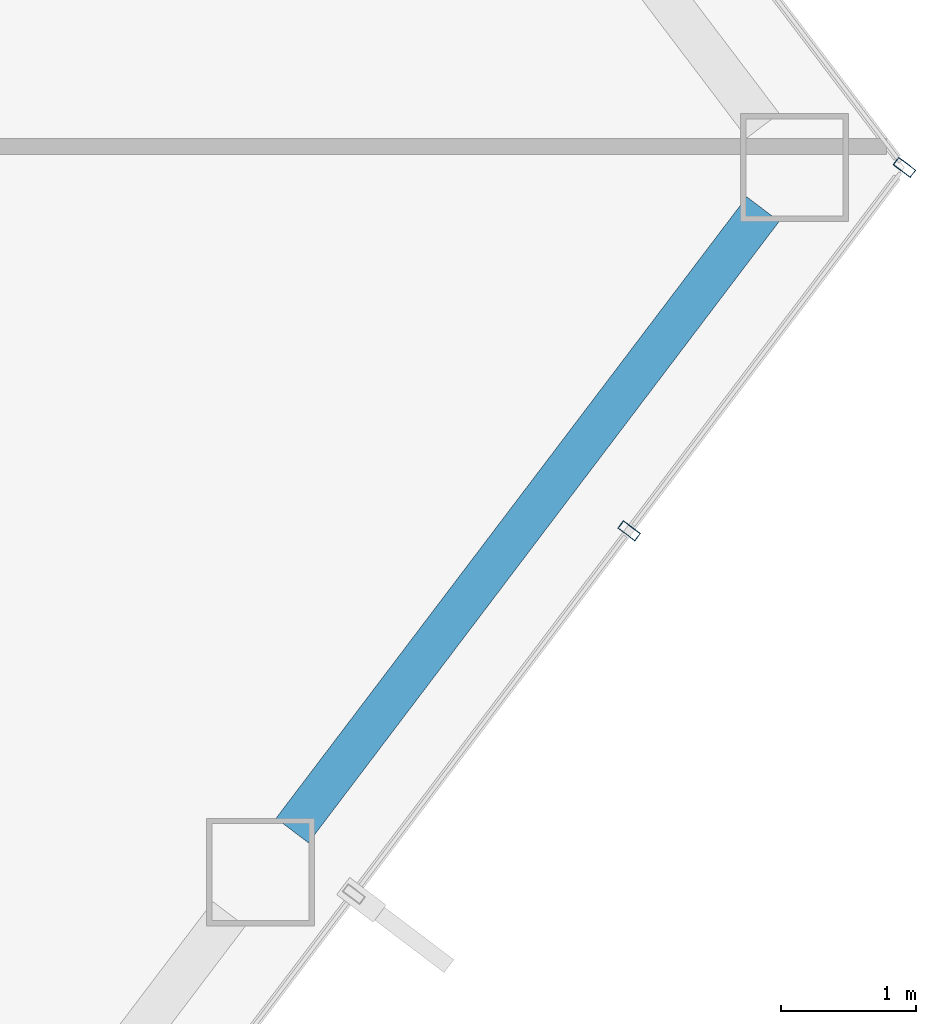
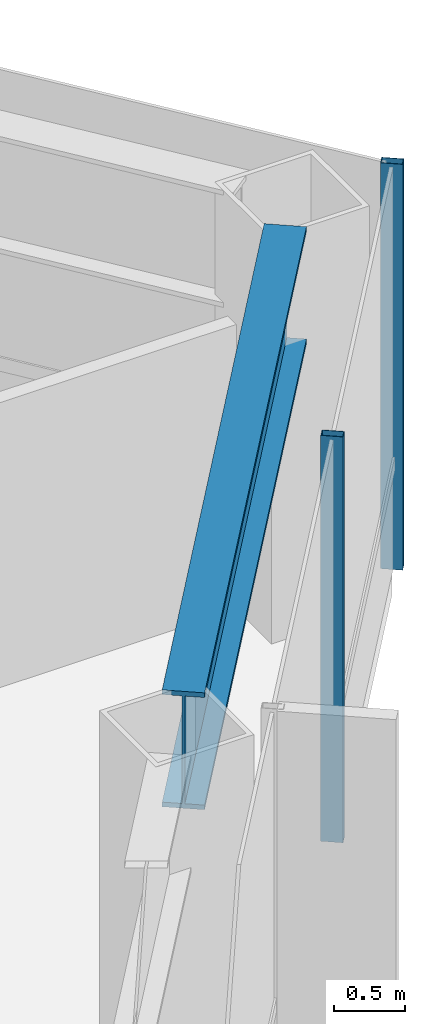
# One storey, part 21 of 28: 2 members, 1 beam, 1 element without a shape of its own.
"""IFC4 building model written with IfcOpenShell, lengths in metres."""

from ifc_helpers import new_model, si_unit, direction, frame, origin, origin_2d, place, context, subcontext, project, spatial, hollow_rectangle, i_section, extrude, material, layer, layer_set, material_profile, profile_set, type_object, element, aggregate, save


model = new_model("IFC4")

# Units and contexts
model_context = context("Model", 3, precision=1e-05, world=origin(), true_north=direction((0.0, 1.0)))
body_context = subcontext(model_context, "Body", "Model", "MODEL_VIEW")
ifc_project = project(units=[si_unit("LENGTHUNIT", "METRE"), si_unit("AREAUNIT", "SQUARE_METRE"), si_unit("VOLUMEUNIT", "CUBIC_METRE"), si_unit("PLANEANGLEUNIT", "RADIAN"), si_unit("MASSUNIT", "GRAM", prefix="KILO")], contexts=[model_context])

# Site, building, storey
site_placement = place(None, origin())
site = spatial("IfcSite", under=ifc_project, at=site_placement, CompositionType="ELEMENT")
building_placement = place(site_placement, origin())
building = spatial("IfcBuilding", under=site, at=building_placement, Name="Zarrinselat Tower", CompositionType="ELEMENT")
storey_placement = place(building_placement, frame((0.0, 0.0, 145.860107421875)))
storey = spatial("IfcBuildingStorey", under=building, at=storey_placement, Name="L35", CompositionType="ELEMENT", Elevation=145.860107421875)

# Beam
ifc_material_1 = material(Name="Steel S460M", Category="steel")
ifc_material_profile_1 = material_profile(ifc_material_1, i_section(OverallWidth=0.302001953125, OverallDepth=1.008056640625, WebThickness=0.02099609375, FlangeThickness=0.0400390625, at=origin_2d()), Name="HEM 1000")
ifc_profile_set_1 = profile_set([ifc_material_profile_1], Name="Steel S460M")
beam_type = type_object("IfcBeamType", Name="BM-HEM1000", PredefinedType="BEAM", material=ifc_profile_set_1)
beam_placement = place(storey_placement, frame((58.381103515625, 34.48486328125, 2.995849609375), z_axis=(0.603867434816, 0.797084764106, 0.0), x_axis=(-0.797084764106, 0.603867434816, 0.0)))
element("IfcBeam", 1, at=beam_placement, inside=storey, type_object=beam_type, Name="L35 Perimeter Spandrel Girder SP14", PredefinedType="BEAM", context=body_context, shape_type="SweptSolid", body=[
    extrude(i_section(OverallWidth=0.302001953125, OverallDepth=1.008056640625, WebThickness=0.02099609375, FlangeThickness=0.0400390625, at=origin_2d()), origin(), (0.0, 0.0, 1.0), 5.787109375),
])

# Curtain wall, members
ifc_material_2 = material(Name="Extruded Aluminium Alloy EN AW-6063 T6", Category="aluminium")
ifc_layer = layer(ifc_material_2, 0.175048828125)
ifc_layer_set = layer_set([ifc_layer], Name="Extruded Aluminium Alloy EN AW-6063 T6")
curtain_wall_type = type_object("IfcCurtainWallType", Name="CWS-HTL", PredefinedType="NOTDEFINED", material=ifc_layer_set)
curtain_wall_placement = place(storey_placement, origin())
curtain_wall = element("IfcCurtainWall", 2, at=curtain_wall_placement, inside=storey, type_object=curtain_wall_type, Name="L35 Unitised Curtain Wall CW-L35-E05", PredefinedType="NOTDEFINED")
ifc_material_3 = material(Name="Extruded Aluminium Alloy EN AW-6063 T6", Category="aluminium")
ifc_material_profile_2 = material_profile(ifc_material_3, hollow_rectangle(XDim=0.070068359375, YDim=0.159912109375, WallThickness=0.00390625, at=origin_2d()), Name="RHS 160x70x4")
ifc_profile_set_2 = profile_set([ifc_material_profile_2], Name="Extruded Aluminium Alloy EN AW-6063 T6")
member_type = type_object("IfcMemberType", Name="MEM-CW-MUL2", PredefinedType="MULLION", material=ifc_profile_set_2)
member_1_placement = place(storey_placement, frame((60.88232421875, 36.7099609375, 0.0), z_axis=(0.0, 0.0, 1.0), x_axis=(0.603857687995, 0.797092148154, 0.0)))
member_1 = element("IfcMember", 3, at=member_1_placement, type_object=member_type, Name="CW-L35-E05 Mullion 8", PredefinedType="MULLION", context=body_context, shape_type="SweptSolid", body=[
    extrude(hollow_rectangle(XDim=0.070068359375, YDim=0.159912109375, WallThickness=0.00390625, at=origin_2d()), origin(), (0.0, 0.0, 1.0), 3.5),
])
member_2_placement = place(storey_placement, frame((62.925537109375, 39.406982421875, 0.0), z_axis=(0.0, 0.0, 1.0), x_axis=(0.603857687995, 0.797092148154, 0.0)))
member_2 = element("IfcMember", 4, at=member_2_placement, type_object=member_type, Name="CW-L35-E05 Mullion 9", PredefinedType="MULLION", context=body_context, shape_type="SweptSolid", body=[
    extrude(hollow_rectangle(XDim=0.070068359375, YDim=0.159912109375, WallThickness=0.00390625, at=origin_2d()), origin(), (0.0, 0.0, 1.0), 3.5),
])
aggregate(curtain_wall, [member_1, member_2])

save(model, "model.ifc")
